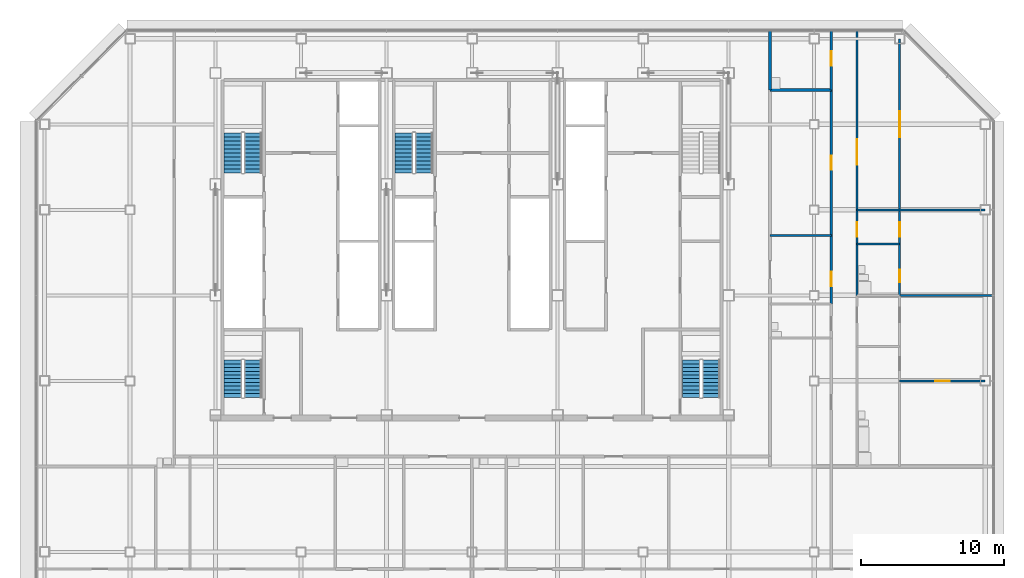
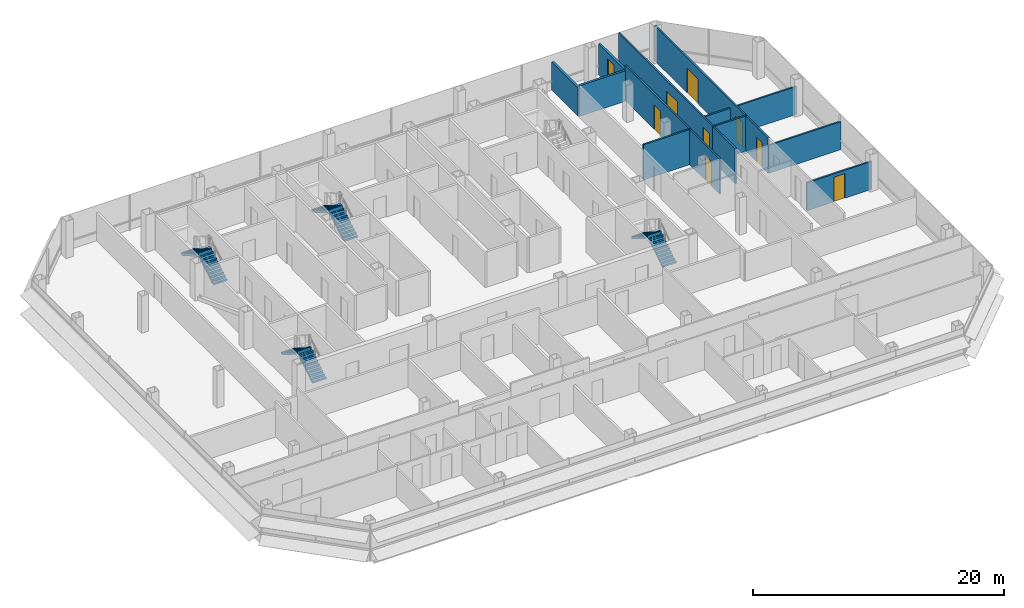
# One storey, part 23 of 26: 13 walls, 9 doors, 8 stair flights, 9 openings, 4 elements without a shape of their own.
"""IFC4 building model written with IfcOpenShell, lengths in metres."""

import ifcopenshell
import ifcopenshell.guid

model = None  # the IFC model being written
_history = None  # IfcOwnerHistory: only IFC2X3 demands one
_inside = {}  # id of a spatial element -> (the spatial element, [elements in it])
_under = {}  # id of a project, library or spatial element -> (it, [spatial elements below it])
_declared = {}  # id of a project -> (the project, [libraries it declares])
_typed = {}  # id of a type object -> (the type object, [elements of that type])
_made_of = {}  # id of a material, layer set ... -> (it, [elements and type objects made of it])


def new_model(schema):
    """Start an empty IFC model of exactly this schema.

    Asked for "IFC4X3", IfcOpenShell would pick the latest addendum, in which some entities
    have other attributes; the version numbers below select the first issue.
    IFC2X3 requires an IfcOwnerHistory on every rooted entity: one is made here for all.
    """
    global model, _history
    if schema == "IFC4X3":
        model = ifcopenshell.file(schema_version=(4, 3, 0, 0))
    else:
        model = ifcopenshell.file(schema=schema)
    _inside.clear()
    _under.clear()
    _declared.clear()
    _typed.clear()
    _made_of.clear()
    _history = None
    if model.schema == "IFC2X3":
        org = make("IfcOrganization", Name="unknown")
        user = make(
            "IfcPersonAndOrganization",
            ThePerson=make("IfcPerson", FamilyName="unknown"),
            TheOrganization=org,
        )
        app = make(
            "IfcApplication",
            ApplicationDeveloper=org,
            Version="unknown",
            ApplicationFullName="unknown",
            ApplicationIdentifier="unknown",
        )
        _history = make(
            "IfcOwnerHistory",
            OwningUser=user,
            OwningApplication=app,
            ChangeAction="ADDED",
            CreationDate=0,
        )
    return model


def make(cls, **values):
    """One entity of the class cls with the attributes given. An attribute that is None is left unset."""
    return model.create_entity(
        cls, **{name: value for name, value in values.items() if value is not None}
    )


def rooted(cls, **values):
    """An entity with a GlobalId (a new one), such as an element, a storey or a relation."""
    return make(cls, GlobalId=ifcopenshell.guid.new(), OwnerHistory=_history, **values)


def si_unit(unit_type, name, prefix=None):
    """IfcSIUnit, for example si_unit("LENGTHUNIT", "METRE", prefix="MILLI")."""
    return make("IfcSIUnit", UnitType=unit_type, Prefix=prefix, Name=name)


def assignment(units):
    """IfcUnitAssignment: the units of a project."""
    return None if units is None else make("IfcUnitAssignment", Units=units)


def point(xyz):
    """IfcCartesianPoint."""
    return None if xyz is None else make("IfcCartesianPoint", Coordinates=xyz)


def direction(xyz):
    """IfcDirection."""
    return None if xyz is None else make("IfcDirection", DirectionRatios=xyz)


def frame(location, z_axis=None, x_axis=None):
    """IfcAxis2Placement3D, a coordinate frame: its origin and axes. An axis left out is left unset."""
    return make(
        "IfcAxis2Placement3D",
        Location=point(location),
        Axis=direction(z_axis),
        RefDirection=direction(x_axis),
    )


def frame_2d(location, x_axis=None):
    """IfcAxis2Placement2D, a coordinate frame in the plane: its origin and x axis."""
    return make(
        "IfcAxis2Placement2D", Location=point(location), RefDirection=direction(x_axis)
    )


def origin():
    """The frame at (0, 0, 0) with its axes left unset."""
    return frame((0.0, 0.0, 0.0))


def place(relative_to, where):
    """IfcLocalPlacement: puts the frame where relative to a parent placement (None: the world)."""
    return make(
        "IfcLocalPlacement", PlacementRelTo=relative_to, RelativePlacement=where
    )


def context(
    kind, dimensions, precision=None, world=None, true_north=None, identifier=None
):
    """IfcGeometricRepresentationContext, for example the 3D "Model" context."""
    return make(
        "IfcGeometricRepresentationContext",
        ContextIdentifier=identifier,
        ContextType=kind,
        CoordinateSpaceDimension=dimensions,
        Precision=precision,
        WorldCoordinateSystem=world,
        TrueNorth=true_north,
    )


def subcontext(parent, identifier, kind, view, scale=None):
    """IfcGeometricRepresentationSubContext, for example "Body" below "Model"."""
    return make(
        "IfcGeometricRepresentationSubContext",
        ContextIdentifier=identifier,
        ContextType=kind,
        ParentContext=parent,
        TargetScale=scale,
        TargetView=view,
    )


def project(units=None, contexts=None):
    """IfcProject with its units and contexts."""
    return rooted(
        "IfcProject",
        Name="project",
        RepresentationContexts=contexts,
        UnitsInContext=assignment(units),
    )


def spatial(cls, under=None, at=None, **own):
    """A site, building, storey or space (cls), placed at a placement, below another one or the project."""
    s = rooted(cls, ObjectPlacement=at, **own)
    if under is not None:
        _under.setdefault(under.id(), (under, []))[1].append(s)
    return s


def polyline(points):
    """IfcPolyline through the points."""
    return make("IfcPolyline", Points=[point(p) for p in points])


def profile(cls, at=None, kind="AREA", **sizes):
    """A parametric profile (cls). Its sizes go by their IFC names, for example OverallWidth=200.0."""
    return make(cls, ProfileType=kind, Position=at, **sizes)


def rectangle(**sizes):
    """IfcRectangleProfileDef."""
    return profile("IfcRectangleProfileDef", **sizes)


def outline(outer, holes=None, kind="AREA"):
    """IfcArbitraryClosedProfileDef: a profile drawn as a closed curve; with holes, ...WithVoids."""
    if holes is None:
        return make("IfcArbitraryClosedProfileDef", ProfileType=kind, OuterCurve=outer)
    return make(
        "IfcArbitraryProfileDefWithVoids",
        ProfileType=kind,
        OuterCurve=outer,
        InnerCurves=holes,
    )


def extrude(swept, where, along, depth):
    """IfcExtrudedAreaSolid: the profile swept, set in the frame where, extruded along a direction by depth."""
    return make(
        "IfcExtrudedAreaSolid",
        SweptArea=swept,
        Position=where,
        ExtrudedDirection=direction(along),
        Depth=depth,
    )


def shape(context_of_items, identifier, shape_type, items):
    """IfcShapeRepresentation: the items that make up one representation, for example the "Body"."""
    return make(
        "IfcShapeRepresentation",
        ContextOfItems=context_of_items,
        RepresentationIdentifier=identifier,
        RepresentationType=shape_type,
        Items=items,
    )


def material(Name=None, Category=None):
    """IfcMaterial."""
    return make("IfcMaterial", Name=Name, Category=Category)


def layer(
    of_material, thickness, ventilated=None, Name=None, Category=None, Priority=None
):
    """IfcMaterialLayer: one layer of a wall or slab, of a material (None: an air gap)."""
    return make(
        "IfcMaterialLayer",
        Material=of_material,
        LayerThickness=thickness,
        IsVentilated=ventilated,
        Name=Name,
        Category=Category,
        Priority=Priority,
    )


def layer_set(layers, Name=None):
    """IfcMaterialLayerSet."""
    return make("IfcMaterialLayerSet", MaterialLayers=layers, LayerSetName=Name)


def made_of(thing, what):
    """Note that an element or type object is made of a material, layer set ...; save() writes the relation."""
    if what is not None:
        _made_of.setdefault(what.id(), (what, []))[1].append(thing)
    return thing


def type_object(cls, material=None, **own):
    """A type object (cls), such as IfcWallType, which elements share."""
    return made_of(rooted(cls, **own), material)


def element(
    cls,
    number,
    at=None,
    inside=None,
    cuts=None,
    type_object=None,
    material=None,
    context=None,
    identifier="Body",
    shape_type=None,
    held_by="IfcProductDefinitionShape",
    body=None,
    shapes=None,
    **own,
):
    """One element of the class cls, such as IfcWall. Its Tag is "e" and its number.

    at: its placement. inside: the storey or other place that contains it. cuts: it is an
    opening in that element (IfcRelVoidsElement). A single representation is given by context,
    identifier, shape_type and body (its items); several are given by shapes. held_by: the class
    of the entity that holds the representations. save() writes the other relations.
    """
    e = rooted(cls, Tag="e%d" % number, ObjectPlacement=at, **own)
    if body is not None:
        shapes = [shape(context, identifier, shape_type, body)]
    if shapes is not None:
        e.Representation = make(held_by, Representations=shapes)
    if inside is not None:
        _inside.setdefault(inside.id(), (inside, []))[1].append(e)
    if cuts is not None:
        rooted(
            "IfcRelVoidsElement", RelatingBuildingElement=cuts, RelatedOpeningElement=e
        )
    if type_object is not None:
        _typed.setdefault(type_object.id(), (type_object, []))[1].append(e)
    return made_of(e, material)


def fill(opening, filler):
    """IfcRelFillsElement: the door or window that sits in an opening."""
    return rooted(
        "IfcRelFillsElement",
        RelatingOpeningElement=opening,
        RelatedBuildingElement=filler,
    )


def aggregate(whole, parts):
    """IfcRelAggregates: a whole, such as a stair, and the parts it consists of."""
    return rooted("IfcRelAggregates", RelatingObject=whole, RelatedObjects=parts)


def save(model, path):
    """Write the relations noted so far, then the file.

    IfcRelAggregates (storeys below a building ...), IfcRelContainedInSpatialStructure (elements
    in a storey), IfcRelDefinesByType, IfcRelAssociatesMaterial and IfcRelDeclares: one each for
    every whole, place, type object, material and project.
    """
    for whole, parts in _under.values():
        aggregate(whole, parts)
    for where, things in _inside.values():
        rooted(
            "IfcRelContainedInSpatialStructure",
            RelatedElements=things,
            RelatingStructure=where,
        )
    for kind, things in _typed.values():
        rooted("IfcRelDefinesByType", RelatedObjects=things, RelatingType=kind)
    for what, things in _made_of.values():
        rooted("IfcRelAssociatesMaterial", RelatedObjects=things, RelatingMaterial=what)
    for by, libraries in _declared.values():
        rooted("IfcRelDeclares", RelatingContext=by, RelatedDefinitions=libraries)
    model.write(path)


model = new_model("IFC4")

# Units and contexts
model_context = context("Model", 3, precision=1e-05, world=origin(), true_north=direction((0.0, 1.0)))
body_context = subcontext(model_context, "Body", "Model", "MODEL_VIEW")
ifc_project = project(units=[si_unit("LENGTHUNIT", "METRE"), si_unit("AREAUNIT", "SQUARE_METRE"), si_unit("VOLUMEUNIT", "CUBIC_METRE"), si_unit("PLANEANGLEUNIT", "RADIAN"), si_unit("MASSUNIT", "GRAM", prefix="KILO")], contexts=[model_context])

# Site, building, storey
site_placement = place(None, origin())
site = spatial("IfcSite", under=ifc_project, at=site_placement, CompositionType="ELEMENT")
building_placement = place(site_placement, origin())
building = spatial("IfcBuilding", under=site, at=building_placement, Name="Sorahane Residences", CompositionType="ELEMENT")
storey_placement = place(building_placement, frame((0.0, 0.0, 154.60009765625)))
storey = spatial("IfcBuildingStorey", under=building, at=storey_placement, Name="L35", CompositionType="ELEMENT", Elevation=154.60009765625)

# Wall
ifc_material_1 = material(Name="Concrete blockwork C20 wall", Category="masonry")
ifc_layer_1 = layer(ifc_material_1, 0.199951171875)
ifc_layer_set_1 = layer_set([ifc_layer_1], Name="Kitchen wall 200 EI 180")
wall_type_1 = type_object("IfcWallType", Name="Kitchen wall 200 EI 180", PredefinedType="SOLIDWALL", material=ifc_layer_set_1)
wall_1_placement = place(storey_placement, frame((44.89990234375, 44.39990234375, 0.0), z_axis=(0.0, 0.0, 1.0), x_axis=(0.0, 1.0, 0.0)))
element("IfcWall", 1, at=wall_1_placement, inside=storey, type_object=wall_type_1, Name="L35 kitchen wall", PredefinedType="SOLIDWALL", context=body_context, shape_type="SweptSolid", body=[
    extrude(rectangle(XDim=4.2001953125, YDim=0.199951171875, at=frame_2d((2.10009765625, 0.0))), origin(), (0.0, 0.0, 1.0), 2.719970703125),
])

# Wall, opening, door
wall_2_placement = place(storey_placement, frame((49.199951171875, 44.39990234375, 0.0), z_axis=(0.0, 0.0, 1.0), x_axis=(0.0, 1.0, 0.0)))
wall_2 = element("IfcWall", 2, at=wall_2_placement, inside=storey, type_object=wall_type_1, Name="L35 kitchen wall", PredefinedType="SOLIDWALL", context=body_context, shape_type="SweptSolid", body=[
    extrude(rectangle(XDim=4.2001953125, YDim=0.199951171875, at=frame_2d((2.10009765625, 0.0))), origin(), (0.0, 0.0, 1.0), 2.969970703125),
])
opening_1_placement = place(wall_2_placement, frame((1.719970703125, 0.0, 0.0)))
opening_1 = element("IfcOpeningElement", 3, at=opening_1_placement, cuts=wall_2, Name="Opening L35-32", PredefinedType="OPENING", context=body_context, shape_type="SweptSolid", body=[
    extrude(rectangle(XDim=1.0, YDim=2.39990234375, at=frame_2d((0.5, 1.199951171875))), frame((0.0, 0.10986328125, 0.0), z_axis=(0.0, -1.0, 0.0), x_axis=(1.0, 0.0, 0.0)), (0.0, 0.0, 1.0), 0.219970703125),
])
ifc_material_2 = material(Name="Steel", Category="steel")
door_type_1 = type_object("IfcDoorType", Name="Kitchen door 1000x2400 FD120", OperationType="NOTDEFINED", PredefinedType="DOOR", material=ifc_material_2)
door_1_placement = place(opening_1_placement, origin())
door_1 = element("IfcDoor", 4, at=door_1_placement, inside=storey, type_object=door_type_1, Name="Kitchen door L35-32", OperationType="SINGLE_SWING_LEFT", OverallHeight=2.39990234375, OverallWidth=1.0, PredefinedType="DOOR", context=body_context, shape_type="SweptSolid", body=[
    extrude(rectangle(XDim=1.0, YDim=2.39990234375, at=frame_2d((0.5, 1.199951171875))), frame((0.0, 0.02490234375, 0.0), z_axis=(0.0, -1.0, 0.0), x_axis=(1.0, 0.0, 0.0)), (0.0, 0.0, 1.0), 0.050048828125),
])
fill(opening_1, door_1)

# Wall
wall_3_placement = place(storey_placement, frame((44.89990234375, 44.39990234375, 0.0), z_axis=(0.0, 0.0, 1.0), x_axis=(1.0, 0.0, 0.0)))
element("IfcWall", 5, at=wall_3_placement, inside=storey, type_object=wall_type_1, Name="L35 kitchen wall", PredefinedType="SOLIDWALL", context=body_context, shape_type="SweptSolid", body=[
    extrude(rectangle(XDim=4.300048828125, YDim=0.199951171875, at=frame_2d((2.14990234375, 0.0))), origin(), (0.0, 0.0, 1.0), 2.969970703125),
])

# Wall, openings, doors
ifc_material_3 = material(Name="Gypsum board partition on steel studs", Category="steel")
ifc_layer_2 = layer(ifc_material_3, 0.14990234375)
ifc_layer_set_2 = layer_set([ifc_layer_2], Name="Partition 150 EI 90")
wall_type_2 = type_object("IfcWallType", Name="Partition 150 EI 90", PredefinedType="PARTITIONING", material=ifc_layer_set_2)
wall_4_placement = place(storey_placement, frame((49.199951171875, 29.39990234375, 0.0), z_axis=(0.0, 0.0, 1.0), x_axis=(0.0, 1.0, 0.0)))
wall_4 = element("IfcWall", 6, at=wall_4_placement, inside=storey, type_object=wall_type_2, Name="L35 partition", PredefinedType="PARTITIONING", context=body_context, shape_type="SweptSolid", body=[
    extrude(rectangle(XDim=15.0, YDim=0.14990234375, at=frame_2d((7.5, 0.0))), origin(), (0.0, 0.0, 1.0), 3.419921875),
])
opening_2_placement = place(wall_4_placement, frame((1.239990234375, 0.0, 0.0)))
opening_2 = element("IfcOpeningElement", 7, at=opening_2_placement, cuts=wall_4, Name="Opening L35-28", PredefinedType="OPENING", context=body_context, shape_type="SweptSolid", body=[
    extrude(rectangle(XDim=1.0, YDim=2.39990234375, at=frame_2d((0.5, 1.199951171875))), frame((0.0, 0.0849609375, 0.0), z_axis=(0.0, -1.0, 0.0), x_axis=(1.0, 0.0, 0.0)), (0.0, 0.0, 1.0), 0.169921875),
])
opening_3_placement = place(wall_4_placement, frame((9.39990234375, 0.0, 0.0)))
opening_3 = element("IfcOpeningElement", 8, at=opening_3_placement, cuts=wall_4, Name="Opening L35-31", PredefinedType="OPENING", context=body_context, shape_type="SweptSolid", body=[
    extrude(rectangle(XDim=1.0, YDim=2.39990234375, at=frame_2d((0.5, 1.199951171875))), frame((0.0, 0.0849609375, 0.0), z_axis=(0.0, -1.0, 0.0), x_axis=(1.0, 0.0, 0.0)), (0.0, 0.0, 1.0), 0.169921875),
])
ifc_material_4 = material(Name="Timber veneered fire door", Category="wood")
door_type_2 = type_object("IfcDoorType", Name="Room door 1000x2400 FD30", OperationType="NOTDEFINED", PredefinedType="DOOR", material=ifc_material_4)
door_2_placement = place(opening_2_placement, frame((1.0, 0.0, 0.0), z_axis=(0.0, 0.0, 1.0), x_axis=(-1.0, 0.0, 0.0)))
door_2 = element("IfcDoor", 9, at=door_2_placement, inside=storey, type_object=door_type_2, Name="Room door L35-28", OperationType="SINGLE_SWING_LEFT", OverallHeight=2.39990234375, OverallWidth=1.0, PredefinedType="DOOR", context=body_context, shape_type="SweptSolid", body=[
    extrude(rectangle(XDim=1.0, YDim=2.39990234375, at=frame_2d((0.5, 1.199951171875))), frame((0.0, 0.02490234375, 0.0), z_axis=(0.0, -1.0, 0.0), x_axis=(1.0, 0.0, 0.0)), (0.0, 0.0, 1.0), 0.050048828125),
])
fill(opening_2, door_2)
door_3_placement = place(opening_3_placement, origin())
door_3 = element("IfcDoor", 10, at=door_3_placement, inside=storey, type_object=door_type_2, Name="Room door L35-31", OperationType="SINGLE_SWING_RIGHT", OverallHeight=2.39990234375, OverallWidth=1.0, PredefinedType="DOOR", context=body_context, shape_type="SweptSolid", body=[
    extrude(rectangle(XDim=1.0, YDim=2.39990234375, at=frame_2d((0.5, 1.199951171875))), frame((0.0, 0.02490234375, 0.0), z_axis=(0.0, -1.0, 0.0), x_axis=(1.0, 0.0, 0.0)), (0.0, 0.0, 1.0), 0.050048828125),
])
fill(opening_3, door_3)

wall_5_placement = place(storey_placement, frame((51.0, 33.60009765625, 0.0), z_axis=(0.0, 0.0, 1.0), x_axis=(0.0, 1.0, 0.0)))
wall_5 = element("IfcWall", 11, at=wall_5_placement, inside=storey, type_object=wall_type_2, Name="L35 partition", PredefinedType="PARTITIONING", context=body_context, shape_type="SweptSolid", body=[
    extrude(rectangle(XDim=15.0, YDim=0.14990234375, at=frame_2d((7.5, 0.0))), origin(), (0.0, 0.0, 1.0), 3.419921875),
])
opening_4_placement = place(wall_5_placement, frame((0.52001953125, 0.0, 0.0)))
opening_4 = element("IfcOpeningElement", 12, at=opening_4_placement, cuts=wall_5, Name="Opening L35-34", PredefinedType="OPENING", context=body_context, shape_type="SweptSolid", body=[
    extrude(rectangle(XDim=1.0, YDim=2.39990234375, at=frame_2d((0.5, 1.199951171875))), frame((0.0, 0.0849609375, 0.0), z_axis=(0.0, -1.0, 0.0), x_axis=(1.0, 0.0, 0.0)), (0.0, 0.0, 1.0), 0.169921875),
])
opening_5_placement = place(wall_5_placement, frame((5.56005859375, 0.0, 0.0)))
opening_5 = element("IfcOpeningElement", 13, at=opening_5_placement, cuts=wall_5, Name="Opening L35-35", PredefinedType="OPENING", context=body_context, shape_type="SweptSolid", body=[
    extrude(rectangle(XDim=1.800048828125, YDim=2.39990234375, at=frame_2d((0.89990234375, 1.199951171875))), frame((0.0, 0.0849609375, 0.0), z_axis=(0.0, -1.0, 0.0), x_axis=(1.0, 0.0, 0.0)), (0.0, 0.0, 1.0), 0.169921875),
])
ifc_material_5 = material(Name="Timber veneered fire door", Category="wood")
door_type_3 = type_object("IfcDoorType", Name="Double door 1800x2400 FD30", OperationType="NOTDEFINED", PredefinedType="DOOR", material=ifc_material_5)
door_4_placement = place(opening_5_placement, frame((1.800048828125, 0.0, 0.0), z_axis=(0.0, 0.0, 1.0), x_axis=(-1.0, 0.0, 0.0)))
door_4 = element("IfcDoor", 14, at=door_4_placement, inside=storey, type_object=door_type_3, Name="Double door L35-35", OperationType="SINGLE_SWING_RIGHT", OverallHeight=2.39990234375, OverallWidth=1.800048828125, PredefinedType="DOOR", context=body_context, shape_type="SweptSolid", body=[
    extrude(rectangle(XDim=1.800048828125, YDim=2.39990234375, at=frame_2d((0.89990234375, 1.199951171875))), frame((0.0, 0.02490234375, 0.0), z_axis=(0.0, -1.0, 0.0), x_axis=(1.0, 0.0, 0.0)), (0.0, 0.0, 1.0), 0.050048828125),
])
fill(opening_5, door_4)
door_5_placement = place(opening_4_placement, frame((1.0, 0.0, 0.0), z_axis=(0.0, 0.0, 1.0), x_axis=(-1.0, 0.0, 0.0)))
door_5 = element("IfcDoor", 15, at=door_5_placement, inside=storey, type_object=door_type_2, Name="Room door L35-34", OperationType="SINGLE_SWING_RIGHT", OverallHeight=2.39990234375, OverallWidth=1.0, PredefinedType="DOOR", context=body_context, shape_type="SweptSolid", body=[
    extrude(rectangle(XDim=1.0, YDim=2.39990234375, at=frame_2d((0.5, 1.199951171875))), frame((0.0, 0.02490234375, 0.0), z_axis=(0.0, -1.0, 0.0), x_axis=(1.0, 0.0, 0.0)), (0.0, 0.0, 1.0), 0.050048828125),
])
fill(opening_4, door_5)

wall_6_placement = place(storey_placement, frame((54.0, 33.60009765625, 0.0), z_axis=(0.0, 0.0, 1.0), x_axis=(0.0, 1.0, 0.0)))
wall_6 = element("IfcWall", 16, at=wall_6_placement, inside=storey, type_object=wall_type_2, Name="L35 partition", PredefinedType="PARTITIONING", context=body_context, shape_type="SweptSolid", body=[
    extrude(rectangle(XDim=14.39990234375, YDim=0.14990234375, at=frame_2d((7.199951171875, 0.0))), origin(), (0.0, 0.0, 1.0), 3.419921875),
])
opening_6_placement = place(wall_6_placement, frame((0.52001953125, 0.0, 0.0)))
opening_6 = element("IfcOpeningElement", 17, at=opening_6_placement, cuts=wall_6, Name="Opening L35-39", PredefinedType="OPENING", context=body_context, shape_type="SweptSolid", body=[
    extrude(rectangle(XDim=1.0, YDim=2.39990234375, at=frame_2d((0.5, 1.199951171875))), frame((0.0, 0.0849609375, 0.0), z_axis=(0.0, -1.0, 0.0), x_axis=(1.0, 0.0, 0.0)), (0.0, 0.0, 1.0), 0.169921875),
])
opening_7_placement = place(wall_6_placement, frame((7.5, 0.0, 0.0)))
opening_7 = element("IfcOpeningElement", 18, at=opening_7_placement, cuts=wall_6, Name="Opening L35-41", PredefinedType="OPENING", context=body_context, shape_type="SweptSolid", body=[
    extrude(rectangle(XDim=1.800048828125, YDim=2.39990234375, at=frame_2d((0.89990234375, 1.199951171875))), frame((0.0, 0.0849609375, 0.0), z_axis=(0.0, -1.0, 0.0), x_axis=(1.0, 0.0, 0.0)), (0.0, 0.0, 1.0), 0.169921875),
])
door_6_placement = place(opening_7_placement, frame((1.800048828125, 0.0, 0.0), z_axis=(0.0, 0.0, 1.0), x_axis=(-1.0, 0.0, 0.0)))
door_6 = element("IfcDoor", 19, at=door_6_placement, inside=storey, type_object=door_type_3, Name="Double door L35-41", OperationType="SINGLE_SWING_RIGHT", OverallHeight=2.39990234375, OverallWidth=1.800048828125, PredefinedType="DOOR", context=body_context, shape_type="SweptSolid", body=[
    extrude(rectangle(XDim=1.800048828125, YDim=2.39990234375, at=frame_2d((0.89990234375, 1.199951171875))), frame((0.0, 0.02490234375, 0.0), z_axis=(0.0, -1.0, 0.0), x_axis=(1.0, 0.0, 0.0)), (0.0, 0.0, 1.0), 0.050048828125),
])
fill(opening_7, door_6)
door_7_placement = place(opening_6_placement, frame((1.0, 0.0, 0.0), z_axis=(0.0, 0.0, 1.0), x_axis=(-1.0, 0.0, 0.0)))
door_7 = element("IfcDoor", 20, at=door_7_placement, inside=storey, type_object=door_type_2, Name="Room door L35-39", OperationType="SINGLE_SWING_RIGHT", OverallHeight=2.39990234375, OverallWidth=1.0, PredefinedType="DOOR", context=body_context, shape_type="SweptSolid", body=[
    extrude(rectangle(XDim=1.0, YDim=2.39990234375, at=frame_2d((0.5, 1.199951171875))), frame((0.0, 0.02490234375, 0.0), z_axis=(0.0, -1.0, 0.0), x_axis=(1.0, 0.0, 0.0)), (0.0, 0.0, 1.0), 0.050048828125),
])
fill(opening_6, door_7)

# Wall, opening, door
wall_7_placement = place(storey_placement, frame((54.0, 24.0, 0.0), z_axis=(0.0, 0.0, 1.0), x_axis=(1.0, 0.0, 0.0)))
wall_7 = element("IfcWall", 21, at=wall_7_placement, inside=storey, type_object=wall_type_2, Name="L35 partition", PredefinedType="PARTITIONING", context=body_context, shape_type="SweptSolid", body=[
    extrude(rectangle(XDim=6.0, YDim=0.14990234375, at=frame_2d((3.0, 0.0))), origin(), (0.0, 0.0, 1.0), 2.719970703125),
])
opening_8_placement = place(wall_7_placement, frame((2.5, 0.0, 0.0)))
opening_8 = element("IfcOpeningElement", 22, at=opening_8_placement, cuts=wall_7, Name="Opening L35-37", PredefinedType="OPENING", context=body_context, shape_type="SweptSolid", body=[
    extrude(rectangle(XDim=1.0, YDim=2.39990234375, at=frame_2d((0.5, 1.199951171875))), frame((0.0, 0.0849609375, 0.0), z_axis=(0.0, -1.0, 0.0), x_axis=(1.0, 0.0, 0.0)), (0.0, 0.0, 1.0), 0.169921875),
])
door_8_placement = place(opening_8_placement, frame((1.0, 0.0, 0.0), z_axis=(0.0, 0.0, 1.0), x_axis=(-1.0, 0.0, 0.0)))
door_8 = element("IfcDoor", 23, at=door_8_placement, inside=storey, type_object=door_type_2, Name="Room door L35-37", OperationType="SINGLE_SWING_RIGHT", OverallHeight=2.39990234375, OverallWidth=1.0, PredefinedType="DOOR", context=body_context, shape_type="SweptSolid", body=[
    extrude(rectangle(XDim=1.0, YDim=2.39990234375, at=frame_2d((0.5, 1.199951171875))), frame((0.0, 0.02490234375, 0.0), z_axis=(0.0, -1.0, 0.0), x_axis=(1.0, 0.0, 0.0)), (0.0, 0.0, 1.0), 0.050048828125),
])
fill(opening_8, door_8)

# Walls
wall_8_placement = place(storey_placement, frame((54.0, 30.0, 0.0), z_axis=(0.0, 0.0, 1.0), x_axis=(1.0, 0.0, 0.0)))
element("IfcWall", 24, at=wall_8_placement, inside=storey, type_object=wall_type_2, Name="L35 partition", PredefinedType="PARTITIONING", context=body_context, shape_type="SweptSolid", body=[
    extrude(rectangle(XDim=6.60009765625, YDim=0.14990234375, at=frame_2d((3.300048828125, 0.0))), origin(), (0.0, 0.0, 1.0), 2.719970703125),
])
wall_9_placement = place(storey_placement, frame((44.89990234375, 34.199951171875, 0.0), z_axis=(0.0, 0.0, 1.0), x_axis=(1.0, 0.0, 0.0)))
element("IfcWall", 25, at=wall_9_placement, inside=storey, type_object=wall_type_2, Name="L35 partition", PredefinedType="PARTITIONING", context=body_context, shape_type="SweptSolid", body=[
    extrude(rectangle(XDim=4.300048828125, YDim=0.14990234375, at=frame_2d((2.14990234375, 0.0))), origin(), (0.0, 0.0, 1.0), 3.419921875),
])
wall_10_placement = place(storey_placement, frame((51.0, 36.0, 0.0), z_axis=(0.0, 0.0, 1.0), x_axis=(1.0, 0.0, 0.0)))
element("IfcWall", 26, at=wall_10_placement, inside=storey, type_object=wall_type_2, Name="L35 partition", PredefinedType="PARTITIONING", context=body_context, shape_type="SweptSolid", body=[
    extrude(rectangle(XDim=9.0, YDim=0.14990234375, at=frame_2d((4.5, 0.0))), origin(), (0.0, 0.0, 1.0), 2.719970703125),
])
ifc_material_6 = material(Name="Gypsum board partition on steel studs", Category="steel")
ifc_layer_3 = layer(ifc_material_6, 0.14990234375)
ifc_layer_set_3 = layer_set([ifc_layer_3], Name="Wet wall 150 EI 90")
wall_type_3 = type_object("IfcWallType", Name="Wet wall 150 EI 90", PredefinedType="PARTITIONING", material=ifc_layer_set_3)
wall_11_placement = place(storey_placement, frame((51.0, 30.0, 0.0), z_axis=(0.0, 0.0, 1.0), x_axis=(0.0, 1.0, 0.0)))
element("IfcWall", 27, at=wall_11_placement, inside=storey, type_object=wall_type_3, Name="L35 wet wall", PredefinedType="PARTITIONING", context=body_context, shape_type="SweptSolid", body=[
    extrude(rectangle(XDim=3.60009765625, YDim=0.14990234375, at=frame_2d((1.800048828125, 0.0))), origin(), (0.0, 0.0, 1.0), 3.419921875),
])

# Wall, opening, door
wall_12_placement = place(storey_placement, frame((54.0, 30.0, 0.0), z_axis=(0.0, 0.0, 1.0), x_axis=(0.0, 1.0, 0.0)))
wall_12 = element("IfcWall", 28, at=wall_12_placement, inside=storey, type_object=wall_type_3, Name="L35 wet wall", PredefinedType="PARTITIONING", context=body_context, shape_type="SweptSolid", body=[
    extrude(rectangle(XDim=3.60009765625, YDim=0.14990234375, at=frame_2d((1.800048828125, 0.0))), origin(), (0.0, 0.0, 1.0), 3.419921875),
])
opening_9_placement = place(wall_12_placement, frame((0.909912109375, 0.0, 0.0)))
opening_9 = element("IfcOpeningElement", 29, at=opening_9_placement, cuts=wall_12, Name="Opening L35-40", PredefinedType="OPENING", context=body_context, shape_type="SweptSolid", body=[
    extrude(rectangle(XDim=0.89990234375, YDim=2.39990234375, at=frame_2d((0.449951171875, 1.199951171875))), frame((0.0, 0.0849609375, 0.0), z_axis=(0.0, -1.0, 0.0), x_axis=(1.0, 0.0, 0.0)), (0.0, 0.0, 1.0), 0.169921875),
])
ifc_material_7 = material(Name="Timber veneered fire door", Category="wood")
door_type_4 = type_object("IfcDoorType", Name="Bathroom door 900x2400 FD30", OperationType="NOTDEFINED", PredefinedType="DOOR", material=ifc_material_7)
door_9_placement = place(opening_9_placement, frame((0.89990234375, 0.0, 0.0), z_axis=(0.0, 0.0, 1.0), x_axis=(-1.0, 0.0, 0.0)))
door_9 = element("IfcDoor", 30, at=door_9_placement, inside=storey, type_object=door_type_4, Name="Bathroom door L35-40", OperationType="SINGLE_SWING_LEFT", OverallHeight=2.39990234375, OverallWidth=0.89990234375, PredefinedType="DOOR", context=body_context, shape_type="SweptSolid", body=[
    extrude(rectangle(XDim=0.89990234375, YDim=2.39990234375, at=frame_2d((0.449951171875, 1.199951171875))), frame((0.0, 0.02490234375, 0.0), z_axis=(0.0, -1.0, 0.0), x_axis=(1.0, 0.0, 0.0)), (0.0, 0.0, 1.0), 0.050048828125),
])
fill(opening_9, door_9)

# Wall
wall_13_placement = place(storey_placement, frame((51.0, 33.60009765625, 0.0), z_axis=(0.0, 0.0, 1.0), x_axis=(1.0, 0.0, 0.0)))
element("IfcWall", 31, at=wall_13_placement, inside=storey, type_object=wall_type_3, Name="L35 wet wall", PredefinedType="PARTITIONING", context=body_context, shape_type="SweptSolid", body=[
    extrude(rectangle(XDim=3.0, YDim=0.14990234375, at=frame_2d((1.5, 0.0))), origin(), (0.0, 0.0, 1.0), 3.419921875),
])

# Stair, stair flights
ifc_material_8 = material(Name="Concrete C40", Category="concrete")
stair_type = type_object("IfcStairType", Name="Dog-leg stair 1250 Concrete C40", PredefinedType="HALF_TURN_STAIR", material=ifc_material_8)
stair_1_placement = place(storey_placement, origin())
stair_1 = element("IfcStair", 32, at=stair_1_placement, inside=storey, type_object=stair_type, Name="L35 Stair S1", PredefinedType="HALF_TURN_STAIR")
ifc_material_9 = material(Name="Concrete C40", Category="concrete")
stair_flight_type = type_object("IfcStairFlightType", Name="Stair flight 1250 Concrete C40", PredefinedType="STRAIGHT", material=ifc_material_9)
stair_flight_1_placement = place(storey_placement, frame((8.625, 38.60009765625, 0.0), z_axis=(0.0, 0.0, 1.0), x_axis=(0.0, 1.0, 0.0)))
stair_flight_1 = element("IfcStairFlight", 33, at=stair_flight_1_placement, type_object=stair_flight_type, Name="S1 flight 1", NumberOfRisers=11, NumberOfTreads=10, PredefinedType="STRAIGHT", RiserHeight=0.163636364, TreadLength=0.28, context=body_context, shape_type="SweptSolid", body=[
    extrude(outline(polyline([(-0.00146484375, 0.0), (-0.00146484375, 0.16357421875), (0.0, 0.16357421875), (0.280029296875, 0.16357421875), (0.280029296875, 0.327392578125), (0.56005859375, 0.327392578125), (0.56005859375, 0.490966796875), (0.840087890625, 0.490966796875), (0.840087890625, 0.654541015625), (1.1201171875, 0.654541015625), (1.1201171875, 0.818115234375), (1.39990234375, 0.818115234375), (1.39990234375, 0.98193359375), (1.679931640625, 0.98193359375), (1.679931640625, 1.1455078125), (1.9599609375, 1.1455078125), (1.9599609375, 1.30908203125), (2.239990234375, 1.30908203125), (2.239990234375, 1.47265625), (2.52001953125, 1.47265625), (2.52001953125, 1.636474609375), (2.800048828125, 1.636474609375), (2.800048828125, 1.800048828125), (2.800048828125, 1.462646484375), (2.59130859375, 1.3408203125), (2.3828125, 1.218994140625), (2.17431640625, 1.09716796875), (1.965576171875, 0.97509765625), (1.757080078125, 0.853271484375), (1.548583984375, 0.7314453125), (1.340087890625, 0.609375), (1.13134765625, 0.487548828125), (0.9228515625, 0.36572265625), (0.71435546875, 0.243896484375), (0.505615234375, 0.121826171875), (0.297119140625, 0.0), (-0.00146484375, 0.0)])), frame((0.0, 0.625, 0.0), z_axis=(0.0, -1.0, 0.0), x_axis=(1.0, 0.0, 0.0)), (0.0, 0.0, 1.0), 1.25),
])
stair_flight_2_placement = place(storey_placement, frame((7.22509765625, 41.39990234375, 1.7998046875), z_axis=(0.0, 0.0, 1.0), x_axis=(0.0, -1.0, 0.0)))
stair_flight_2 = element("IfcStairFlight", 34, at=stair_flight_2_placement, type_object=stair_flight_type, Name="S1 flight 2", NumberOfRisers=11, NumberOfTreads=10, PredefinedType="STRAIGHT", RiserHeight=0.163636364, TreadLength=0.28, context=body_context, shape_type="SweptSolid", body=[
    extrude(outline(polyline([(0.0, 0.0), (0.0, 0.16357421875), (0.280029296875, 0.16357421875), (0.280029296875, 0.327392578125), (0.56005859375, 0.327392578125), (0.56005859375, 0.490966796875), (0.840087890625, 0.490966796875), (0.840087890625, 0.654541015625), (1.1201171875, 0.654541015625), (1.1201171875, 0.818115234375), (1.39990234375, 0.818115234375), (1.39990234375, 0.98193359375), (1.679931640625, 0.98193359375), (1.679931640625, 1.1455078125), (1.9599609375, 1.1455078125), (1.9599609375, 1.30908203125), (2.239990234375, 1.30908203125), (2.239990234375, 1.47265625), (2.52001953125, 1.47265625), (2.52001953125, 1.636474609375), (2.800048828125, 1.636474609375), (2.800048828125, 1.800048828125), (2.801513671875, 1.800048828125), (2.801513671875, 1.462646484375), (2.5927734375, 1.3408203125), (2.384033203125, 1.218994140625), (2.17529296875, 1.09716796875), (1.966796875, 0.97509765625), (1.758056640625, 0.853271484375), (1.54931640625, 0.7314453125), (1.340576171875, 0.609375), (1.1318359375, 0.487548828125), (0.923095703125, 0.36572265625), (0.714599609375, 0.243896484375), (0.505859375, 0.121826171875), (0.297119140625, 0.0), (0.0, 0.0)])), frame((0.0, 0.625, 0.0), z_axis=(0.0, -1.0, 0.0), x_axis=(1.0, 0.0, 0.0)), (0.0, 0.0, 1.0), 1.25),
])
aggregate(stair_1, [stair_flight_1, stair_flight_2])

stair_2_placement = place(storey_placement, origin())
stair_2 = element("IfcStair", 35, at=stair_2_placement, inside=storey, type_object=stair_type, Name="L35 Stair S3", PredefinedType="HALF_TURN_STAIR")
stair_flight_3_placement = place(storey_placement, frame((20.625, 38.60009765625, 0.0), z_axis=(0.0, 0.0, 1.0), x_axis=(0.0, 1.0, 0.0)))
stair_flight_3 = element("IfcStairFlight", 36, at=stair_flight_3_placement, type_object=stair_flight_type, Name="S3 flight 1", NumberOfRisers=11, NumberOfTreads=10, PredefinedType="STRAIGHT", RiserHeight=0.163636364, TreadLength=0.28, context=body_context, shape_type="SweptSolid", body=[
    extrude(outline(polyline([(-0.00146484375, 0.0), (-0.00146484375, 0.16357421875), (0.0, 0.16357421875), (0.280029296875, 0.16357421875), (0.280029296875, 0.327392578125), (0.56005859375, 0.327392578125), (0.56005859375, 0.490966796875), (0.840087890625, 0.490966796875), (0.840087890625, 0.654541015625), (1.1201171875, 0.654541015625), (1.1201171875, 0.818115234375), (1.39990234375, 0.818115234375), (1.39990234375, 0.98193359375), (1.679931640625, 0.98193359375), (1.679931640625, 1.1455078125), (1.9599609375, 1.1455078125), (1.9599609375, 1.30908203125), (2.239990234375, 1.30908203125), (2.239990234375, 1.47265625), (2.52001953125, 1.47265625), (2.52001953125, 1.636474609375), (2.800048828125, 1.636474609375), (2.800048828125, 1.800048828125), (2.800048828125, 1.462646484375), (2.59130859375, 1.3408203125), (2.3828125, 1.218994140625), (2.17431640625, 1.09716796875), (1.965576171875, 0.97509765625), (1.757080078125, 0.853271484375), (1.548583984375, 0.7314453125), (1.340087890625, 0.609375), (1.13134765625, 0.487548828125), (0.9228515625, 0.36572265625), (0.71435546875, 0.243896484375), (0.505615234375, 0.121826171875), (0.297119140625, 0.0), (-0.00146484375, 0.0)])), frame((0.0, 0.625, 0.0), z_axis=(0.0, -1.0, 0.0), x_axis=(1.0, 0.0, 0.0)), (0.0, 0.0, 1.0), 1.25),
])
stair_flight_4_placement = place(storey_placement, frame((19.22509765625, 41.39990234375, 1.7998046875), z_axis=(0.0, 0.0, 1.0), x_axis=(0.0, -1.0, 0.0)))
stair_flight_4 = element("IfcStairFlight", 37, at=stair_flight_4_placement, type_object=stair_flight_type, Name="S3 flight 2", NumberOfRisers=11, NumberOfTreads=10, PredefinedType="STRAIGHT", RiserHeight=0.163636364, TreadLength=0.28, context=body_context, shape_type="SweptSolid", body=[
    extrude(outline(polyline([(0.0, 0.0), (0.0, 0.16357421875), (0.280029296875, 0.16357421875), (0.280029296875, 0.327392578125), (0.56005859375, 0.327392578125), (0.56005859375, 0.490966796875), (0.840087890625, 0.490966796875), (0.840087890625, 0.654541015625), (1.1201171875, 0.654541015625), (1.1201171875, 0.818115234375), (1.39990234375, 0.818115234375), (1.39990234375, 0.98193359375), (1.679931640625, 0.98193359375), (1.679931640625, 1.1455078125), (1.9599609375, 1.1455078125), (1.9599609375, 1.30908203125), (2.239990234375, 1.30908203125), (2.239990234375, 1.47265625), (2.52001953125, 1.47265625), (2.52001953125, 1.636474609375), (2.800048828125, 1.636474609375), (2.800048828125, 1.800048828125), (2.801513671875, 1.800048828125), (2.801513671875, 1.462646484375), (2.5927734375, 1.3408203125), (2.384033203125, 1.218994140625), (2.17529296875, 1.09716796875), (1.966796875, 0.97509765625), (1.758056640625, 0.853271484375), (1.54931640625, 0.7314453125), (1.340576171875, 0.609375), (1.1318359375, 0.487548828125), (0.923095703125, 0.36572265625), (0.714599609375, 0.243896484375), (0.505859375, 0.121826171875), (0.297119140625, 0.0), (0.0, 0.0)])), frame((0.0, 0.625, 0.0), z_axis=(0.0, -1.0, 0.0), x_axis=(1.0, 0.0, 0.0)), (0.0, 0.0, 1.0), 1.25),
])
aggregate(stair_2, [stair_flight_3, stair_flight_4])

stair_3_placement = place(storey_placement, origin())
stair_3 = element("IfcStair", 38, at=stair_3_placement, inside=storey, type_object=stair_type, Name="L35 Stair S4", PredefinedType="HALF_TURN_STAIR")
stair_flight_5_placement = place(storey_placement, frame((8.625, 22.85009765625, 0.0), z_axis=(0.0, 0.0, 1.0), x_axis=(0.0, 1.0, 0.0)))
stair_flight_5 = element("IfcStairFlight", 39, at=stair_flight_5_placement, type_object=stair_flight_type, Name="S4 flight 1", NumberOfRisers=11, NumberOfTreads=10, PredefinedType="STRAIGHT", RiserHeight=0.163636364, TreadLength=0.26, context=body_context, shape_type="SweptSolid", body=[
    extrude(outline(polyline([(-0.00146484375, 0.0), (-0.00146484375, 0.16357421875), (0.0, 0.16357421875), (0.260009765625, 0.16357421875), (0.260009765625, 0.327392578125), (0.52001953125, 0.327392578125), (0.52001953125, 0.490966796875), (0.780029296875, 0.490966796875), (0.780029296875, 0.654541015625), (1.0400390625, 0.654541015625), (1.0400390625, 0.818115234375), (1.300048828125, 0.818115234375), (1.300048828125, 0.98193359375), (1.56005859375, 0.98193359375), (1.56005859375, 1.1455078125), (1.820068359375, 1.1455078125), (1.820068359375, 1.30908203125), (2.080078125, 1.30908203125), (2.080078125, 1.47265625), (2.340087890625, 1.47265625), (2.340087890625, 1.636474609375), (2.60009765625, 1.636474609375), (2.60009765625, 1.800048828125), (2.60009765625, 1.494384765625), (2.402099609375, 1.369873046875), (2.204345703125, 1.245361328125), (2.00634765625, 1.120849609375), (1.80859375, 0.996337890625), (1.610595703125, 0.871826171875), (1.412841796875, 0.747314453125), (1.21484375, 0.622802734375), (1.01708984375, 0.498046875), (0.819091796875, 0.37353515625), (0.621337890625, 0.2490234375), (0.42333984375, 0.12451171875), (0.2255859375, 0.0), (-0.00146484375, 0.0)])), frame((0.0, 0.625, 0.0), z_axis=(0.0, -1.0, 0.0), x_axis=(1.0, 0.0, 0.0)), (0.0, 0.0, 1.0), 1.25),
])
stair_flight_6_placement = place(storey_placement, frame((7.22509765625, 25.449951171875, 1.7998046875), z_axis=(0.0, 0.0, 1.0), x_axis=(0.0, -1.0, 0.0)))
stair_flight_6 = element("IfcStairFlight", 40, at=stair_flight_6_placement, type_object=stair_flight_type, Name="S4 flight 2", NumberOfRisers=11, NumberOfTreads=10, PredefinedType="STRAIGHT", RiserHeight=0.163636364, TreadLength=0.26, context=body_context, shape_type="SweptSolid", body=[
    extrude(outline(polyline([(0.0, 0.0), (0.0, 0.16357421875), (0.260009765625, 0.16357421875), (0.260009765625, 0.327392578125), (0.52001953125, 0.327392578125), (0.52001953125, 0.490966796875), (0.780029296875, 0.490966796875), (0.780029296875, 0.654541015625), (1.0400390625, 0.654541015625), (1.0400390625, 0.818115234375), (1.300048828125, 0.818115234375), (1.300048828125, 0.98193359375), (1.56005859375, 0.98193359375), (1.56005859375, 1.1455078125), (1.820068359375, 1.1455078125), (1.820068359375, 1.30908203125), (2.080078125, 1.30908203125), (2.080078125, 1.47265625), (2.340087890625, 1.47265625), (2.340087890625, 1.636474609375), (2.60009765625, 1.636474609375), (2.60009765625, 1.800048828125), (2.6015625, 1.800048828125), (2.6015625, 1.494384765625), (2.403564453125, 1.369873046875), (2.20556640625, 1.245361328125), (2.007568359375, 1.120849609375), (1.8095703125, 0.996337890625), (1.611572265625, 0.871826171875), (1.41357421875, 0.747314453125), (1.215576171875, 0.622802734375), (1.017578125, 0.498046875), (0.819580078125, 0.37353515625), (0.62158203125, 0.2490234375), (0.423583984375, 0.12451171875), (0.2255859375, 0.0), (0.0, 0.0)])), frame((0.0, 0.625, 0.0), z_axis=(0.0, -1.0, 0.0), x_axis=(1.0, 0.0, 0.0)), (0.0, 0.0, 1.0), 1.25),
])
aggregate(stair_3, [stair_flight_5, stair_flight_6])

stair_4_placement = place(storey_placement, origin())
stair_4 = element("IfcStair", 41, at=stair_4_placement, inside=storey, type_object=stair_type, Name="L35 Stair S5", PredefinedType="HALF_TURN_STAIR")
stair_flight_7_placement = place(storey_placement, frame((40.77490234375, 22.85009765625, 0.0), z_axis=(0.0, 0.0, 1.0), x_axis=(0.0, 1.0, 0.0)))
stair_flight_7 = element("IfcStairFlight", 42, at=stair_flight_7_placement, type_object=stair_flight_type, Name="S5 flight 1", NumberOfRisers=11, NumberOfTreads=10, PredefinedType="STRAIGHT", RiserHeight=0.163636364, TreadLength=0.26, context=body_context, shape_type="SweptSolid", body=[
    extrude(outline(polyline([(-0.00146484375, 0.0), (-0.00146484375, 0.16357421875), (0.0, 0.16357421875), (0.260009765625, 0.16357421875), (0.260009765625, 0.327392578125), (0.52001953125, 0.327392578125), (0.52001953125, 0.490966796875), (0.780029296875, 0.490966796875), (0.780029296875, 0.654541015625), (1.0400390625, 0.654541015625), (1.0400390625, 0.818115234375), (1.300048828125, 0.818115234375), (1.300048828125, 0.98193359375), (1.56005859375, 0.98193359375), (1.56005859375, 1.1455078125), (1.820068359375, 1.1455078125), (1.820068359375, 1.30908203125), (2.080078125, 1.30908203125), (2.080078125, 1.47265625), (2.340087890625, 1.47265625), (2.340087890625, 1.636474609375), (2.60009765625, 1.636474609375), (2.60009765625, 1.800048828125), (2.60009765625, 1.494384765625), (2.402099609375, 1.369873046875), (2.204345703125, 1.245361328125), (2.00634765625, 1.120849609375), (1.80859375, 0.996337890625), (1.610595703125, 0.871826171875), (1.412841796875, 0.747314453125), (1.21484375, 0.622802734375), (1.01708984375, 0.498046875), (0.819091796875, 0.37353515625), (0.621337890625, 0.2490234375), (0.42333984375, 0.12451171875), (0.2255859375, 0.0), (-0.00146484375, 0.0)])), frame((0.0, 0.625, 0.0), z_axis=(0.0, -1.0, 0.0), x_axis=(1.0, 0.0, 0.0)), (0.0, 0.0, 1.0), 1.25),
])
stair_flight_8_placement = place(storey_placement, frame((39.375, 25.449951171875, 1.7998046875), z_axis=(0.0, 0.0, 1.0), x_axis=(0.0, -1.0, 0.0)))
stair_flight_8 = element("IfcStairFlight", 43, at=stair_flight_8_placement, type_object=stair_flight_type, Name="S5 flight 2", NumberOfRisers=11, NumberOfTreads=10, PredefinedType="STRAIGHT", RiserHeight=0.163636364, TreadLength=0.26, context=body_context, shape_type="SweptSolid", body=[
    extrude(outline(polyline([(0.0, 0.0), (0.0, 0.16357421875), (0.260009765625, 0.16357421875), (0.260009765625, 0.327392578125), (0.52001953125, 0.327392578125), (0.52001953125, 0.490966796875), (0.780029296875, 0.490966796875), (0.780029296875, 0.654541015625), (1.0400390625, 0.654541015625), (1.0400390625, 0.818115234375), (1.300048828125, 0.818115234375), (1.300048828125, 0.98193359375), (1.56005859375, 0.98193359375), (1.56005859375, 1.1455078125), (1.820068359375, 1.1455078125), (1.820068359375, 1.30908203125), (2.080078125, 1.30908203125), (2.080078125, 1.47265625), (2.340087890625, 1.47265625), (2.340087890625, 1.636474609375), (2.60009765625, 1.636474609375), (2.60009765625, 1.800048828125), (2.6015625, 1.800048828125), (2.6015625, 1.494384765625), (2.403564453125, 1.369873046875), (2.20556640625, 1.245361328125), (2.007568359375, 1.120849609375), (1.8095703125, 0.996337890625), (1.611572265625, 0.871826171875), (1.41357421875, 0.747314453125), (1.215576171875, 0.622802734375), (1.017578125, 0.498046875), (0.819580078125, 0.37353515625), (0.62158203125, 0.2490234375), (0.423583984375, 0.12451171875), (0.2255859375, 0.0), (0.0, 0.0)])), frame((0.0, 0.625, 0.0), z_axis=(0.0, -1.0, 0.0), x_axis=(1.0, 0.0, 0.0)), (0.0, 0.0, 1.0), 1.25),
])
aggregate(stair_4, [stair_flight_7, stair_flight_8])

save(model, "model.ifc")
